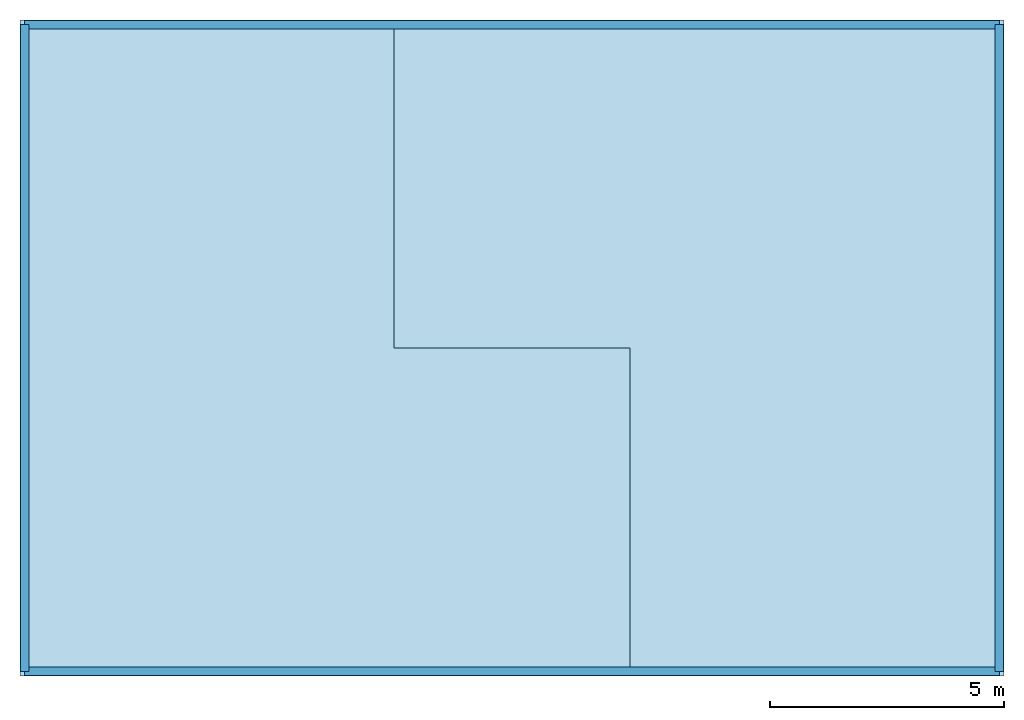
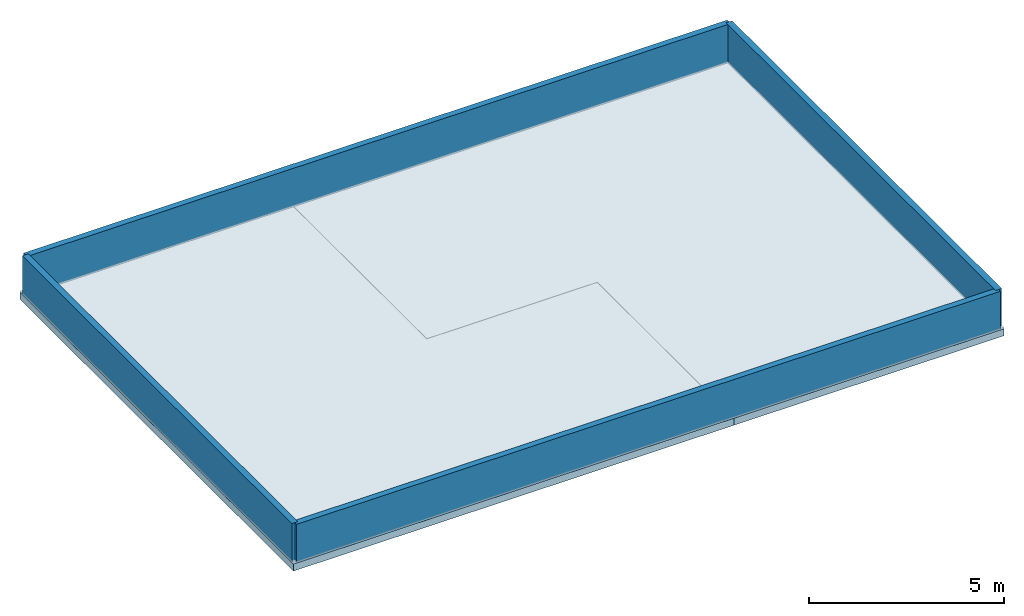
# One storey, part 1 of 2: 4 walls, 2 slabs.
"""IFC4 building model written with IfcOpenShell, lengths in metres."""

from ifc_helpers import new_model, si_unit, direction, frame, frame_2d, origin, place, context, subcontext, project, spatial, polyline, rectangle, outline, extrude, material, layer, layer_set, type_object, element, save


model = new_model("IFC4")

# Units and contexts
model_context = context("Model", 3, precision=1e-05, world=origin(), true_north=direction((0.0, 1.0)))
body_context = subcontext(model_context, "Body", "Model", "MODEL_VIEW")
ifc_project = project(units=[si_unit("LENGTHUNIT", "METRE"), si_unit("AREAUNIT", "SQUARE_METRE"), si_unit("VOLUMEUNIT", "CUBIC_METRE"), si_unit("PLANEANGLEUNIT", "RADIAN"), si_unit("MASSUNIT", "GRAM", prefix="KILO"), si_unit("THERMODYNAMICTEMPERATUREUNIT", "KELVIN"), si_unit("POWERUNIT", "WATT")], contexts=[model_context])

# Site, building, storey
site_placement = place(None, origin())
site = spatial("IfcSite", under=ifc_project, at=site_placement, CompositionType="ELEMENT")
building_placement = place(site_placement, origin())
building = spatial("IfcBuilding", under=site, at=building_placement, Name="Zhenchuan Central Fire Station", CompositionType="ELEMENT")
storey_placement = place(building_placement, frame((0.0, 0.0, 26.85009765625)))
storey = spatial("IfcBuildingStorey", under=building, at=storey_placement, Name="RF", CompositionType="ELEMENT", Elevation=26.85009765625)

# Slabs
ifc_material_1 = material(Name="Concrete C35/45", Category="concrete")
ifc_layer_1 = layer(ifc_material_1, 0.219970703125, Name="Concrete C35/45", Category="concrete")
ifc_layer_set_1 = layer_set([ifc_layer_1], Name="Concrete C35/45")
slab_type = type_object("IfcSlabType", Name="SL-RF220-INT", PredefinedType="ROOF", material=ifc_layer_set_1)
slab_1_placement = place(storey_placement, frame((0.0, 0.0, -0.22021484375)))
element("IfcSlab", 1, at=slab_1_placement, inside=storey, type_object=slab_type, Name="Drill Tower Top Roof Panel A", PredefinedType="ROOF", context=body_context, shape_type="SweptSolid", body=[
    extrude(outline(polyline([(140.0, 42.5), (153.01708984375, 42.5), (153.01708984375, 49.4970703125), (147.97705078125, 49.4970703125), (147.97705078125, 56.5), (140.0, 56.5), (140.0, 42.5)])), origin(), (0.0, 0.0, 1.0), 0.22021484375),
])
slab_2_placement = place(storey_placement, frame((0.0, 0.0, -0.22021484375)))
element("IfcSlab", 2, at=slab_2_placement, inside=storey, type_object=slab_type, Name="Drill Tower Top Roof Panel B", PredefinedType="ROOF", context=body_context, shape_type="SweptSolid", body=[
    extrude(outline(polyline([(153.02294921875, 42.5), (161.0, 42.5), (161.0, 56.5), (147.98291015625, 56.5), (147.98291015625, 49.5029296875), (153.02294921875, 49.5029296875), (153.02294921875, 42.5)])), origin(), (0.0, 0.0, 1.0), 0.22021484375),
])

# Walls
ifc_material_2 = material(Name="Precast concrete C40/50", Category="concrete")
ifc_layer_2 = layer(ifc_material_2, 0.179931640625, Name="Precast concrete C40/50", Category="concrete")
ifc_layer_set_2 = layer_set([ifc_layer_2], Name="Precast concrete C40/50")
wall_type = type_object("IfcWallType", Name="EW-PAR180", PredefinedType="PARAPET", material=ifc_layer_set_2)
wall_1_placement = place(storey_placement, frame((140.10009765625, 42.60009765625, 0.0), z_axis=(0.0, 0.0, 1.0), x_axis=(1.0, 0.0, 0.0)))
element("IfcWall", 3, at=wall_1_placement, inside=storey, type_object=wall_type, Name="PAR-RF-S", PredefinedType="PARAPET", context=body_context, shape_type="SweptSolid", body=[
    extrude(rectangle(XDim=20.7998046875, YDim=0.179931640625, at=frame_2d((10.39990234375, 0.0))), origin(), (0.0, 0.0, 1.0), 1.199951171875),
])
wall_2_placement = place(storey_placement, frame((160.89990234375, 42.60009765625, 0.0), z_axis=(0.0, 0.0, 1.0), x_axis=(0.0, 1.0, 0.0)))
element("IfcWall", 4, at=wall_2_placement, inside=storey, type_object=wall_type, Name="PAR-RF-E", PredefinedType="PARAPET", context=body_context, shape_type="SweptSolid", body=[
    extrude(rectangle(XDim=13.7998046875, YDim=0.179931640625, at=frame_2d((6.89990234375, 0.0))), origin(), (0.0, 0.0, 1.0), 1.199951171875),
])
wall_3_placement = place(storey_placement, frame((140.10009765625, 56.39990234375, 0.0), z_axis=(0.0, 0.0, 1.0), x_axis=(1.0, 0.0, 0.0)))
element("IfcWall", 5, at=wall_3_placement, inside=storey, type_object=wall_type, Name="PAR-RF-N", PredefinedType="PARAPET", context=body_context, shape_type="SweptSolid", body=[
    extrude(rectangle(XDim=20.7998046875, YDim=0.179931640625, at=frame_2d((10.39990234375, 0.0))), origin(), (0.0, 0.0, 1.0), 1.199951171875),
])
wall_4_placement = place(storey_placement, frame((140.10009765625, 42.60009765625, 0.0), z_axis=(0.0, 0.0, 1.0), x_axis=(0.0, 1.0, 0.0)))
element("IfcWall", 6, at=wall_4_placement, inside=storey, type_object=wall_type, Name="PAR-RF-W", PredefinedType="PARAPET", context=body_context, shape_type="SweptSolid", body=[
    extrude(rectangle(XDim=13.7998046875, YDim=0.179931640625, at=frame_2d((6.89990234375, 0.0))), origin(), (0.0, 0.0, 1.0), 1.199951171875),
])

save(model, "model.ifc")
